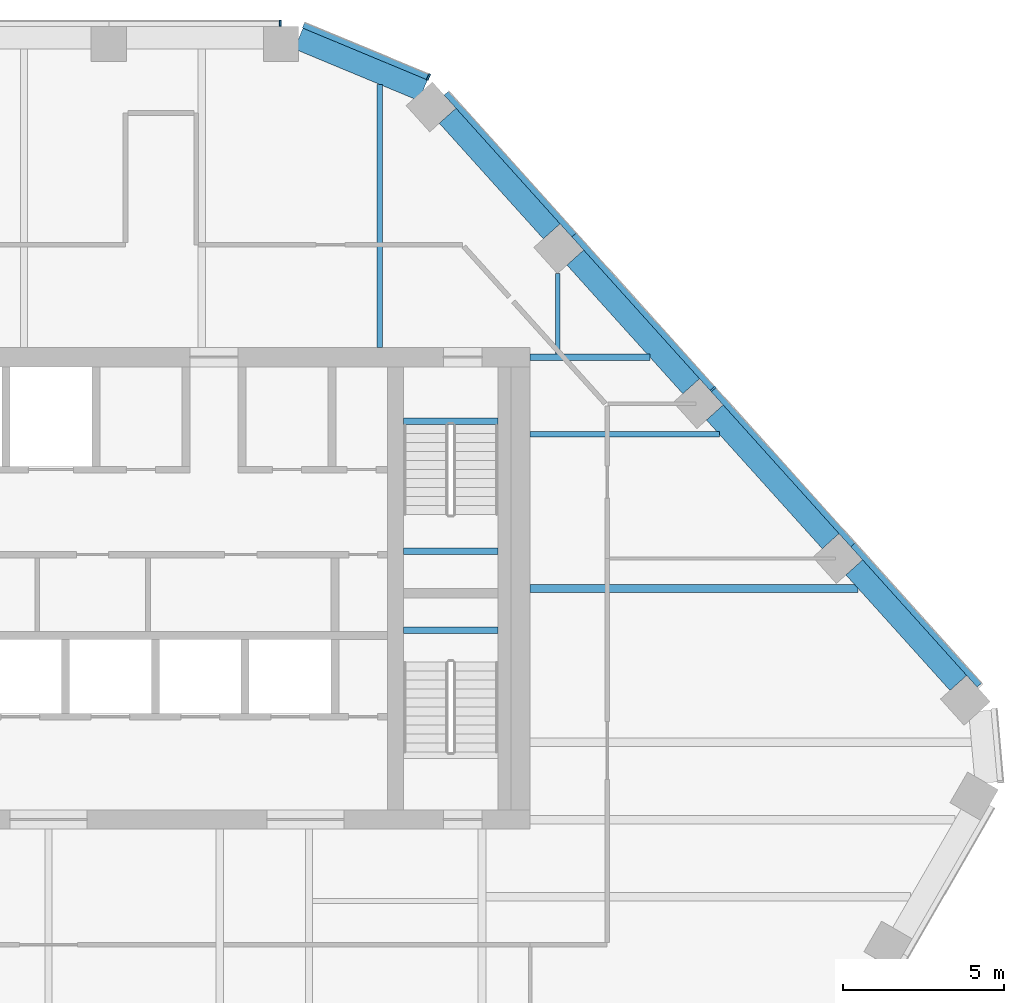
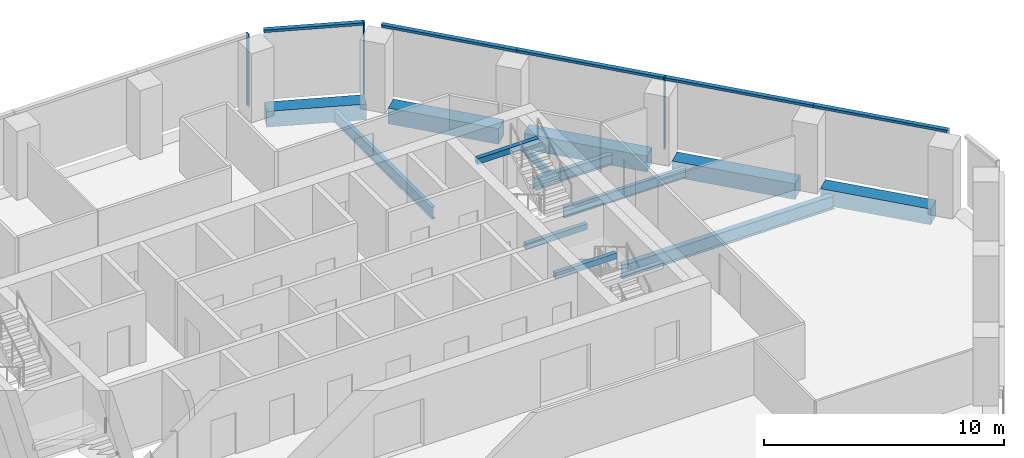
# One storey, part 7 of 15: 13 beams, 8 members, 3 elements without a shape of their own.
"""IFC4 building model written with IfcOpenShell, lengths in metres."""

from ifc_helpers import new_model, si_unit, direction, frame, origin, origin_2d, place, context, subcontext, project, spatial, rectangle, i_section, extrude, material, layer, layer_set, material_profile, profile_set, type_object, element, aggregate, save


model = new_model("IFC4")

# Units and contexts
model_context = context("Model", 3, precision=1e-05, world=origin(), true_north=direction((0.0, 1.0)))
body_context = subcontext(model_context, "Body", "Model", "MODEL_VIEW")
ifc_project = project(units=[si_unit("LENGTHUNIT", "METRE"), si_unit("AREAUNIT", "SQUARE_METRE"), si_unit("VOLUMEUNIT", "CUBIC_METRE"), si_unit("PLANEANGLEUNIT", "RADIAN"), si_unit("MASSUNIT", "GRAM", prefix="KILO")], contexts=[model_context])

# Site, building, storey
site_placement = place(None, origin())
site = spatial("IfcSite", under=ifc_project, at=site_placement, CompositionType="ELEMENT")
building_placement = place(site_placement, origin())
building = spatial("IfcBuilding", under=site, at=building_placement, Name="Isthmus Gate Tower", CompositionType="ELEMENT")
storey_placement = place(building_placement, frame((0.0, 0.0, 245.5)))
storey = spatial("IfcBuildingStorey", under=building, at=storey_placement, Name="L62", CompositionType="ELEMENT", Elevation=245.5)

# Curtain wall, member
ifc_material_1 = material(Name="Aluminium, pale champagne anodised", Category="aluminium")
ifc_layer = layer(ifc_material_1, 0.199951171875)
ifc_layer_set = layer_set([ifc_layer], Name="CW-1 UNITISED CURTAIN WALL 200 DEEP")
curtain_wall_type = type_object("IfcCurtainWallType", Name="CW-1 UNITISED CURTAIN WALL 200 DEEP", PredefinedType="NOTDEFINED", material=ifc_layer_set)
curtain_wall_1_placement = place(storey_placement, origin())
curtain_wall_1 = element("IfcCurtainWall", 1, at=curtain_wall_1_placement, inside=storey, type_object=curtain_wall_type, Name="CW-1 N L62", PredefinedType="NOTDEFINED")
ifc_material_2 = material(Name="Aluminium, pale champagne anodised", Category="aluminium")
ifc_material_profile_1 = material_profile(ifc_material_2, rectangle(XDim=0.06005859375, YDim=0.199951171875, at=origin_2d()), Name="60x200")
ifc_profile_set_1 = profile_set([ifc_material_profile_1], Name="Aluminium, pale champagne anodised")
member_type_1 = type_object("IfcMemberType", Name="CW-1 MULLION 60 X 200", PredefinedType="MULLION", material=ifc_profile_set_1)
member_1_placement = place(storey_placement, frame((7.211181640625, 25.10009765625, 0.0), z_axis=(0.0, 0.0, 1.0), x_axis=(-1.0, 0.0, 0.0)))
member_1 = element("IfcMember", 2, at=member_1_placement, type_object=member_type_1, Name="CW-1 mullion", PredefinedType="MULLION", context=body_context, shape_type="SweptSolid", body=[
    extrude(rectangle(XDim=0.06005859375, YDim=0.199951171875, at=origin_2d()), origin(), (0.0, 0.0, 1.0), 3.64990234375),
])
aggregate(curtain_wall_1, [member_1])

curtain_wall_2_placement = place(storey_placement, origin())
curtain_wall_2 = element("IfcCurtainWall", 3, at=curtain_wall_2_placement, inside=storey, type_object=curtain_wall_type, Name="CW-1 NE L62", PredefinedType="NOTDEFINED")
member_2_placement = place(storey_placement, frame((20.696533203125, 13.709228515625, 0.0), z_axis=(0.0, 0.0, 1.0), x_axis=(-0.669130606359, 0.743144825477, 0.0)))
member_2 = element("IfcMember", 4, at=member_2_placement, type_object=member_type_1, Name="CW-1 mullion", PredefinedType="MULLION", context=body_context, shape_type="SweptSolid", body=[
    extrude(rectangle(XDim=0.06005859375, YDim=0.199951171875, at=origin_2d()), origin(), (0.0, 0.0, 1.0), 3.64990234375),
])

curtain_wall_3_placement = place(storey_placement, origin())
curtain_wall_3 = element("IfcCurtainWall", 5, at=curtain_wall_3_placement, inside=storey, type_object=curtain_wall_type, Name="CW-1 NE-N L62", PredefinedType="NOTDEFINED")
member_3_placement = place(storey_placement, frame((11.83349609375, 23.427490234375, 0.0), z_axis=(0.0, 0.0, 1.0), x_axis=(-0.923353128387, 0.383951820282, 0.0)))
member_3 = element("IfcMember", 6, at=member_3_placement, type_object=member_type_1, Name="CW-1 mullion", PredefinedType="MULLION", context=body_context, shape_type="SweptSolid", body=[
    extrude(rectangle(XDim=0.06005859375, YDim=0.199951171875, at=origin_2d()), origin(), (0.0, 0.0, 1.0), 3.64990234375),
])

# Member
ifc_material_3 = material(Name="Aluminium, pale champagne anodised", Category="aluminium")
ifc_material_profile_2 = material_profile(ifc_material_3, rectangle(XDim=0.199951171875, YDim=0.1298828125, at=origin_2d()), Name="200x130")
ifc_profile_set_2 = profile_set([ifc_material_profile_2], Name="Aluminium, pale champagne anodised")
member_type_2 = type_object("IfcMemberType", Name="CW-1 TRANSOM 200 X 130", PredefinedType="USERDEFINED", material=ifc_profile_set_2)
member_4_placement = place(storey_placement, frame((28.99609375, 4.491455078125, 3.5849609375), z_axis=(-0.669134411332, 0.743141399447, 0.0), x_axis=(-0.743141399447, -0.669134411332, 0.0)))
member_4 = element("IfcMember", 7, at=member_4_placement, type_object=member_type_2, Name="CW-1 transom", ObjectType="TRANSOM", PredefinedType="USERDEFINED", context=body_context, shape_type="SweptSolid", body=[
    extrude(rectangle(XDim=0.199951171875, YDim=0.1298828125, at=origin_2d()), origin(), (0.0, 0.0, 1.0), 5.8818359375),
])

member_5_placement = place(storey_placement, frame((25.060302734375, 8.862548828125, 3.5849609375), z_axis=(-0.669112239491, 0.743161362668, 0.0), x_axis=(-0.743161362668, -0.669112239491, 0.0)))
member_5 = element("IfcMember", 8, at=member_5_placement, type_object=member_type_2, Name="CW-1 transom", ObjectType="TRANSOM", PredefinedType="USERDEFINED", context=body_context, shape_type="SweptSolid", body=[
    extrude(rectangle(XDim=0.199951171875, YDim=0.1298828125, at=origin_2d()), origin(), (0.0, 0.0, 1.0), 6.49169921875),
])

member_6_placement = place(storey_placement, frame((20.67626953125, 13.7314453125, 3.5849609375), z_axis=(-0.669128292476, 0.7431469089, 0.0), x_axis=(-0.7431469089, -0.669128292476, 0.0)))
member_6 = element("IfcMember", 9, at=member_6_placement, type_object=member_type_2, Name="CW-1 transom", ObjectType="TRANSOM", PredefinedType="USERDEFINED", context=body_context, shape_type="SweptSolid", body=[
    extrude(rectangle(XDim=0.199951171875, YDim=0.1298828125, at=origin_2d()), origin(), (0.0, 0.0, 1.0), 6.431884765625),
])

member_7_placement = place(storey_placement, frame((16.37255859375, 18.51123046875, 3.5849609375), z_axis=(-0.669116811031, 0.743157246615, 0.0), x_axis=(-0.743157246615, -0.669116811031, 0.0)))
member_7 = element("IfcMember", 10, at=member_7_placement, type_object=member_type_2, Name="CW-1 transom", ObjectType="TRANSOM", PredefinedType="USERDEFINED", context=body_context, shape_type="SweptSolid", body=[
    extrude(rectangle(XDim=0.199951171875, YDim=0.1298828125, at=origin_2d()), origin(), (0.0, 0.0, 1.0), 5.94189453125),
])

aggregate(curtain_wall_2, [member_4, member_5, member_2, member_6, member_7])

member_8_placement = place(storey_placement, frame((11.8056640625, 23.43896484375, 3.5849609375), z_axis=(-0.923358236369, 0.383939536033, 0.0), x_axis=(-0.383939536033, -0.923358236369, 0.0)))
member_8 = element("IfcMember", 11, at=member_8_placement, type_object=member_type_2, Name="CW-1 transom", ObjectType="TRANSOM", PredefinedType="USERDEFINED", context=body_context, shape_type="SweptSolid", body=[
    extrude(rectangle(XDim=0.199951171875, YDim=0.1298828125, at=origin_2d()), origin(), (0.0, 0.0, 1.0), 4.181640625),
])

aggregate(curtain_wall_3, [member_3, member_8])

# Beams
ifc_material_4 = material(Name="Concrete f'c 50 MPa", Category="concrete")
ifc_material_profile_3 = material_profile(ifc_material_4, rectangle(XDim=0.699951171875, YDim=0.800048828125, at=origin_2d()), Name="RC 700X800")
ifc_profile_set_3 = profile_set([ifc_material_profile_3], Name="Concrete f'c 50 MPa")
beam_type_1 = type_object("IfcBeamType", Name="RC SPANDREL 700 X 800", PredefinedType="SPANDREL", material=ifc_profile_set_3)
beam_1_placement = place(storey_placement, frame((7.791015625, 24.620849609375, -0.39990234375), z_axis=(0.923360646135, -0.383933740597, 0.0), x_axis=(0.383933740597, 0.923360646135, 0.0)))
element("IfcBeam", 12, at=beam_1_placement, inside=storey, type_object=beam_type_1, Name="str-spandrel-L62-00", PredefinedType="SPANDREL", context=body_context, shape_type="SweptSolid", body=[
    extrude(rectangle(XDim=0.699951171875, YDim=0.800048828125, at=origin_2d()), origin(), (0.0, 0.0, 1.0), 4.19677734375),
])
beam_2_placement = place(storey_placement, frame((12.43017578125, 22.21728515625, -0.39990234375), z_axis=(0.669129069044, -0.743146209679, 0.0), x_axis=(0.743146209679, 0.669129069044, 0.0)))
element("IfcBeam", 13, at=beam_2_placement, inside=storey, type_object=beam_type_1, Name="str-spandrel-L62-01", PredefinedType="SPANDREL", context=body_context, shape_type="SweptSolid", body=[
    extrude(rectangle(XDim=0.699951171875, YDim=0.800048828125, at=origin_2d()), origin(), (0.0, 0.0, 1.0), 4.842041015625),
])
beam_3_placement = place(storey_placement, frame((16.40625, 17.801513671875, -0.39990234375), z_axis=(0.669122314994, -0.743152290972, 0.0), x_axis=(0.743152290972, 0.669122314994, 0.0)))
element("IfcBeam", 14, at=beam_3_placement, inside=storey, type_object=beam_type_1, Name="str-spandrel-L62-02", PredefinedType="SPANDREL", context=body_context, shape_type="SweptSolid", body=[
    extrude(rectangle(XDim=0.699951171875, YDim=0.800048828125, at=origin_2d()), origin(), (0.0, 0.0, 1.0), 5.39208984375),
])
beam_4_placement = place(storey_placement, frame((20.75, 12.97705078125, -0.39990234375), z_axis=(0.669144830508, -0.743132017749, 0.0), x_axis=(0.743132017749, 0.669144830508, 0.0)))
element("IfcBeam", 15, at=beam_4_placement, inside=storey, type_object=beam_type_1, Name="str-spandrel-L62-03", PredefinedType="SPANDREL", context=body_context, shape_type="SweptSolid", body=[
    extrude(rectangle(XDim=0.699951171875, YDim=0.800048828125, at=origin_2d()), origin(), (0.0, 0.0, 1.0), 5.391845703125),
])
beam_5_placement = place(storey_placement, frame((25.093994140625, 8.152587890625, -0.39990234375), z_axis=(0.669154141686, -0.743123633499, 0.0), x_axis=(0.743123633499, 0.669154141686, 0.0)))
element("IfcBeam", 16, at=beam_5_placement, inside=storey, type_object=beam_type_1, Name="str-spandrel-L62-04", PredefinedType="SPANDREL", context=body_context, shape_type="SweptSolid", body=[
    extrude(rectangle(XDim=0.699951171875, YDim=0.800048828125, at=origin_2d()), origin(), (0.0, 0.0, 1.0), 4.842041015625),
])
ifc_material_5 = material(Name="Concrete f'c 40 MPa", Category="concrete")
ifc_material_profile_4 = material_profile(ifc_material_5, rectangle(XDim=0.199951171875, YDim=0.300048828125, at=origin_2d()), Name="STAIR LANDING BEAM RC 200 X 300")
ifc_profile_set_4 = profile_set([ifc_material_profile_4], Name="Concrete f'c 40 MPa")
beam_type_2 = type_object("IfcBeamType", Name="STAIR LANDING BEAM RC 200 X 300", PredefinedType="BEAM", material=ifc_profile_set_4)
for number, where, z_axis, x_axis, name in (
    (17, (11.050048828125, 8.64990234375, 1.47509765625), (1.0, 0.0, 0.0), (0.0, 1.0, 0.0), "L62 ST2 landing beam 1"),
    (18, (11.050048828125, 12.7001953125, 3.35009765625), (1.0, 0.0, 0.0), (0.0, 1.0, 0.0), "L62 ST2 floor-edge seat beam"),
    (19, (11.050048828125, 6.199951171875, 1.47509765625), (1.0, 0.0, 0.0), (0.0, 1.0, 0.0), "L62 ST8 landing beam 1"),
):
    element("IfcBeam", number, at=place(storey_placement, frame(where, z_axis=z_axis, x_axis=x_axis)), inside=storey, type_object=beam_type_2, Name=name, PredefinedType="BEAM", context=body_context, shape_type="SweptSolid", body=[
        extrude(rectangle(XDim=0.199951171875, YDim=0.300048828125, at=origin_2d()), origin(), (0.0, 0.0, 1.0), 2.949951171875),
    ])
ifc_material_6 = material(Name="Structural steel ASTM A992 Gr 50", Category="steel")
ifc_material_profile_5 = material_profile(ifc_material_6, i_section(OverallWidth=0.1396484375, OverallDepth=0.4033203125, WebThickness=0.00634765625, FlangeThickness=0.010986328125, at=origin_2d()), Name="W16X31")
ifc_profile_set_5 = profile_set([ifc_material_profile_5], Name="Structural steel ASTM A992 Gr 50")
beam_type_3 = type_object("IfcBeamType", Name="STEEL FLOOR BEAM W16X31", PredefinedType="JOIST", material=ifc_profile_set_5)
beam_6_placement = place(storey_placement, frame((15.862060546875, 14.8046875, -0.3515625), z_axis=(0.0, 1.0, 0.0), x_axis=(-1.0, 0.0, 0.0)))
element("IfcBeam", 20, at=beam_6_placement, inside=storey, type_object=beam_type_3, Name="str-beam-L62-05-06", PredefinedType="JOIST", context=body_context, shape_type="SweptSolid", body=[
    extrude(i_section(OverallWidth=0.1396484375, OverallDepth=0.4033203125, WebThickness=0.00634765625, FlangeThickness=0.010986328125, at=origin_2d()), origin(), (0.0, 0.0, 1.0), 2.5068359375),
])
ifc_material_7 = material(Name="Structural steel ASTM A992 Gr 50", Category="steel")
ifc_material_profile_6 = material_profile(ifc_material_7, i_section(OverallWidth=0.1650390625, OverallDepth=0.52392578125, WebThickness=0.009521484375, FlangeThickness=0.010986328125, at=origin_2d()), Name="W21X44")
ifc_profile_set_6 = profile_set([ifc_material_profile_6], Name="Structural steel ASTM A992 Gr 50")
beam_type_4 = type_object("IfcBeamType", Name="STEEL FLOOR BEAM W21X44", PredefinedType="JOIST", material=ifc_profile_set_6)
beam_7_placement = place(storey_placement, frame((15.0, 12.300048828125, -0.411865234375), z_axis=(1.0, 0.0, 0.0), x_axis=(0.0, 1.0, 0.0)))
element("IfcBeam", 21, at=beam_7_placement, inside=storey, type_object=beam_type_4, Name="str-beam-L62-13-02", PredefinedType="JOIST", context=body_context, shape_type="SweptSolid", body=[
    extrude(i_section(OverallWidth=0.1650390625, OverallDepth=0.52392578125, WebThickness=0.009521484375, FlangeThickness=0.010986328125, at=origin_2d()), origin(), (0.0, 0.0, 1.0), 5.888671875),
])
ifc_material_8 = material(Name="Structural steel ASTM A992 Gr 50", Category="steel")
ifc_material_profile_7 = material_profile(ifc_material_8, i_section(OverallWidth=0.177734375, OverallDepth=0.60009765625, WebThickness=0.009521484375, FlangeThickness=0.0126953125, at=origin_2d()), Name="W24X55")
ifc_profile_set_7 = profile_set([ifc_material_profile_7], Name="Structural steel ASTM A992 Gr 50")
beam_type_5 = type_object("IfcBeamType", Name="STEEL FLOOR BEAM W24X55", PredefinedType="JOIST", material=ifc_profile_set_7)
beam_8_placement = place(storey_placement, frame((10.3193359375, 15.0, -0.449951171875), z_axis=(0.0, 1.0, 0.0), x_axis=(-1.0, 0.0, 0.0)))
element("IfcBeam", 22, at=beam_8_placement, inside=storey, type_object=beam_type_5, Name="str-beam-L62-05-05", PredefinedType="JOIST", context=body_context, shape_type="SweptSolid", body=[
    extrude(i_section(OverallWidth=0.177734375, OverallDepth=0.60009765625, WebThickness=0.009521484375, FlangeThickness=0.0126953125, at=origin_2d()), origin(), (0.0, 0.0, 1.0), 8.190673828125),
])
ifc_material_9 = material(Name="Structural steel ASTM A992 Gr 50", Category="steel")
ifc_material_profile_8 = material_profile(ifc_material_9, i_section(OverallWidth=0.25390625, OverallDepth=0.679443359375, WebThickness=0.010986328125, FlangeThickness=0.015869140625, at=origin_2d()), Name="W27X84")
ifc_profile_set_8 = profile_set([ifc_material_profile_8], Name="Structural steel ASTM A992 Gr 50")
beam_type_6 = type_object("IfcBeamType", Name="STEEL FLOOR BEAM W27X84", PredefinedType="JOIST", material=ifc_profile_set_8)
beam_9_placement = place(storey_placement, frame((15.0, 7.5, -0.48974609375), z_axis=(1.0, 0.0, 0.0), x_axis=(0.0, 1.0, 0.0)))
element("IfcBeam", 23, at=beam_9_placement, inside=storey, type_object=beam_type_6, Name="str-beam-L62-13-01", PredefinedType="JOIST", context=body_context, shape_type="SweptSolid", body=[
    extrude(i_section(OverallWidth=0.25390625, OverallDepth=0.679443359375, WebThickness=0.010986328125, FlangeThickness=0.015869140625, at=origin_2d()), origin(), (0.0, 0.0, 1.0), 10.210693359375),
])
ifc_material_10 = material(Name="Structural steel ASTM A992 Gr 50", Category="steel")
ifc_material_profile_9 = material_profile(ifc_material_10, i_section(OverallWidth=0.20947265625, OverallDepth=0.533447265625, WebThickness=0.009521484375, FlangeThickness=0.015869140625, at=origin_2d()), Name="W21X62")
ifc_profile_set_9 = profile_set([ifc_material_profile_9], Name="Structural steel ASTM A992 Gr 50")
beam_type_7 = type_object("IfcBeamType", Name="STEEL GIRDER W21X62", PredefinedType="BEAM", material=ifc_profile_set_9)
beam_10_placement = place(storey_placement, frame((15.0, 14.699951171875, -0.416748046875), z_axis=(1.0, 0.0, 0.0), x_axis=(0.0, 1.0, 0.0)))
element("IfcBeam", 24, at=beam_10_placement, inside=storey, type_object=beam_type_7, Name="str-girder-L62-12", PredefinedType="BEAM", context=body_context, shape_type="SweptSolid", body=[
    extrude(i_section(OverallWidth=0.20947265625, OverallDepth=0.533447265625, WebThickness=0.009521484375, FlangeThickness=0.015869140625, at=origin_2d()), origin(), (0.0, 0.0, 1.0), 3.727783203125),
])

save(model, "model.ifc")
